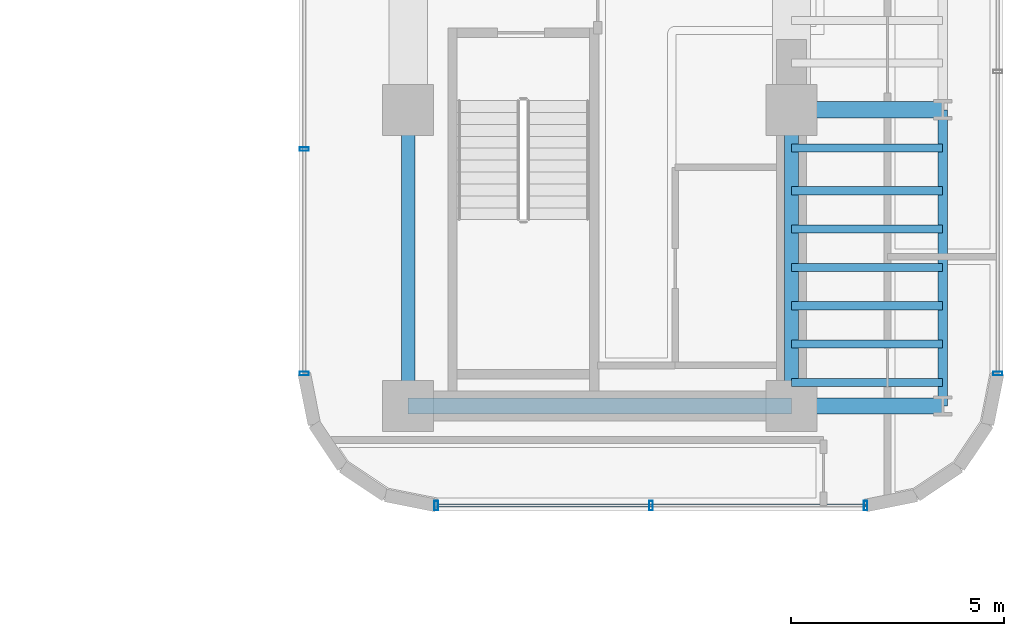
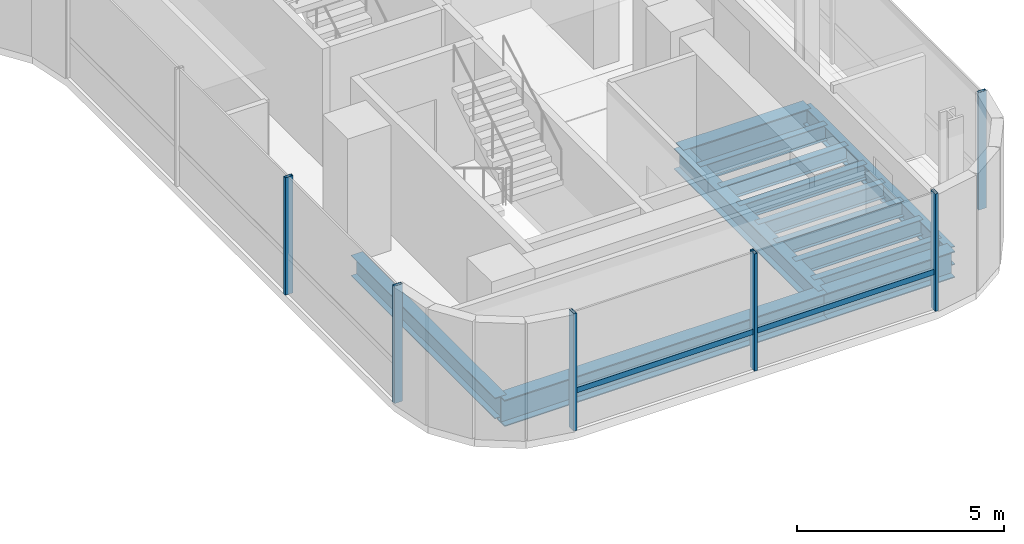
# One storey, part 12 of 35: 13 beams, 7 members, 3 elements without a shape of their own.
"""IFC4 building model written with IfcOpenShell, lengths in metres."""

from ifc_helpers import new_model, si_unit, direction, frame, origin, origin_2d, place, context, subcontext, project, spatial, hollow_rectangle, i_section, extrude, source, transform, mapped, material, material_profile, profile_set, type_object, element, aggregate, save


model = new_model("IFC4")

# Units and contexts
model_context = context("Model", 3, precision=1e-05, world=origin(), true_north=direction((0.0, 1.0)))
body_context = subcontext(model_context, "Body", "Model", "MODEL_VIEW")
ifc_project = project(units=[si_unit("LENGTHUNIT", "METRE"), si_unit("AREAUNIT", "SQUARE_METRE"), si_unit("VOLUMEUNIT", "CUBIC_METRE"), si_unit("PLANEANGLEUNIT", "RADIAN"), si_unit("MASSUNIT", "GRAM", prefix="KILO")], contexts=[model_context])

# Site, building, storey
site_placement = place(None, origin())
site = spatial("IfcSite", under=ifc_project, at=site_placement, CompositionType="ELEMENT")
building_placement = place(site_placement, origin())
building = spatial("IfcBuilding", under=site, at=building_placement, Name="Valdorenza Pilgrim Sanctuary Tower", CompositionType="ELEMENT")
storey_placement = place(building_placement, frame((0.0, 0.0, 150.10009765625)))
storey = spatial("IfcBuildingStorey", under=building, at=storey_placement, Name="L38", CompositionType="ELEMENT", Elevation=150.10009765625)

# Beams
ifc_material_1 = material(Name="Steel ASTM A992 Grade 50", Category="steel")
ifc_material_profile_1 = material_profile(ifc_material_1, i_section(OverallWidth=0.323974609375, OverallDepth=0.611083984375, WebThickness=0.0126953125, FlangeThickness=0.01904296875, at=origin_2d()), Name="W24X104")
ifc_profile_set_1 = profile_set([ifc_material_profile_1], Name="Steel ASTM A992 Grade 50")
beam_type_1 = type_object("IfcBeamType", Name="STR-BM-GRD-W24B", PredefinedType="BEAM", material=ifc_profile_set_1)
shared_shape_1 = source(origin(), body_context, "Body", "SweptSolid", [
    extrude(i_section(OverallWidth=0.323974609375, OverallDepth=0.611083984375, WebThickness=0.0126953125, FlangeThickness=0.01904296875, at=origin_2d()), origin(), (0.0, 0.0, 1.0), 6.949951171875),
])
for number, where, z_axis, x_axis, name in (
    (1, (15.85009765625, -9.550048828125, -0.545654296875), (0.0, 1.0, 0.0), (-1.0, 0.0, 0.0), "L38 Core Tie Girder CB-W-S1M0"),
    (2, (24.85009765625, -9.550048828125, -0.545654296875), (0.0, 1.0, 0.0), (-1.0, 0.0, 0.0), "L38 Core Tie Girder CB-E-S1M0"),
):
    element("IfcBeam", number, at=place(storey_placement, frame(where, z_axis=z_axis, x_axis=x_axis)), inside=storey, type_object=beam_type_1, Name=name, PredefinedType="BEAM", context=body_context, shape_type="MappedRepresentation", body=[
        mapped(shared_shape_1, transform((0.0, 0.0, 0.0), x_axis=(1.0, 0.0, 0.0), y_axis=(0.0, 1.0, 0.0), z_axis=(0.0, 0.0, 1.0), scale=1.0)),
    ])
ifc_material_profile_2 = material_profile(ifc_material_1, i_section(OverallWidth=0.214111328125, OverallDepth=0.549072265625, WebThickness=0.0146484375, FlangeThickness=0.023681640625, at=origin_2d()), Name="W21X93")
ifc_profile_set_2 = profile_set([ifc_material_profile_2], Name="Steel ASTM A992 Grade 50")
beam_type_2 = type_object("IfcBeamType", Name="STR-BM-SPN-W21A", PredefinedType="SPANDREL", material=ifc_profile_set_2)
shared_shape_2 = source(origin(), body_context, "Body", "SweptSolid", [
    extrude(i_section(OverallWidth=0.214111328125, OverallDepth=0.549072265625, WebThickness=0.0146484375, FlangeThickness=0.023681640625, at=origin_2d()), origin(), (0.0, 0.0, 1.0), 6.949951171875),
])
beam_1_placement = place(storey_placement, frame((28.39990234375, -9.550048828125, -0.5146484375), z_axis=(0.0, 1.0, 0.0), x_axis=(-1.0, 0.0, 0.0)))
element("IfcBeam", 3, at=beam_1_placement, inside=storey, type_object=beam_type_2, Name="L38 Spandrel Beam WB-E-S1M0", PredefinedType="SPANDREL", context=body_context, shape_type="MappedRepresentation", body=[
    mapped(shared_shape_2, transform((0.0, 0.0, 0.0), x_axis=(1.0, 0.0, 0.0), y_axis=(0.0, 1.0, 0.0), z_axis=(0.0, 0.0, 1.0), scale=1.0)),
])
ifc_material_profile_3 = material_profile(ifc_material_1, i_section(OverallWidth=0.382080078125, OverallDepth=0.779052734375, WebThickness=0.01806640625, FlangeThickness=0.030029296875, at=origin_2d()), Name="W30X191")
ifc_profile_set_3 = profile_set([ifc_material_profile_3], Name="Steel ASTM A992 Grade 50")
beam_type_3 = type_object("IfcBeamType", Name="STR-BM-GRD-W30", PredefinedType="BEAM", material=ifc_profile_set_3)
shared_shape_3 = source(origin(), body_context, "Body", "SweptSolid", [
    extrude(i_section(OverallWidth=0.382080078125, OverallDepth=0.779052734375, WebThickness=0.01806640625, FlangeThickness=0.030029296875, at=origin_2d()), origin(), (0.0, 0.0, 1.0), 9.0),
])
beam_2_placement = place(storey_placement, frame((15.85009765625, -9.550048828125, -0.629638671875), z_axis=(1.0, 0.0, 0.0), x_axis=(0.0, 1.0, 0.0)))
element("IfcBeam", 4, at=beam_2_placement, inside=storey, type_object=beam_type_3, Name="L38 Floor Girder CB-XC-S1", PredefinedType="BEAM", context=body_context, shape_type="MappedRepresentation", body=[
    mapped(shared_shape_3, transform((0.0, 0.0, 0.0), x_axis=(1.0, 0.0, 0.0), y_axis=(0.0, 1.0, 0.0), z_axis=(0.0, 0.0, 1.0), scale=1.0)),
])
shared_shape_4 = source(origin(), body_context, "Body", "SweptSolid", [
    extrude(i_section(OverallWidth=0.382080078125, OverallDepth=0.779052734375, WebThickness=0.01806640625, FlangeThickness=0.030029296875, at=origin_2d()), origin(), (0.0, 0.0, 1.0), 3.5498046875),
])
for number, where, z_axis, x_axis, name in (
    (5, (24.85009765625, -9.550048828125, -0.629638671875), (1.0, 0.0, 0.0), (0.0, 1.0, 0.0), "L38 Floor Girder WB-XE-S1"),
    (6, (24.85009765625, -2.60009765625, -0.629638671875), (1.0, 0.0, 0.0), (0.0, 1.0, 0.0), "L38 Floor Girder WB-XE-M0"),
):
    element("IfcBeam", number, at=place(storey_placement, frame(where, z_axis=z_axis, x_axis=x_axis)), inside=storey, type_object=beam_type_3, Name=name, PredefinedType="BEAM", context=body_context, shape_type="MappedRepresentation", body=[
        mapped(shared_shape_4, transform((0.0, 0.0, 0.0), x_axis=(1.0, 0.0, 0.0), y_axis=(0.0, 1.0, 0.0), z_axis=(0.0, 0.0, 1.0), scale=1.0)),
    ])
ifc_material_profile_4 = material_profile(ifc_material_1, i_section(OverallWidth=0.19091796875, OverallDepth=0.45703125, WebThickness=0.009033203125, FlangeThickness=0.014404296875, at=origin_2d()), Name="W18X50")
ifc_profile_set_4 = profile_set([ifc_material_profile_4], Name="Steel ASTM A992 Grade 50")
beam_type_4 = type_object("IfcBeamType", Name="STR-BM-JST-W18B", PredefinedType="JOIST", material=ifc_profile_set_4)
shared_shape_5 = source(origin(), body_context, "Body", "SweptSolid", [
    extrude(i_section(OverallWidth=0.19091796875, OverallDepth=0.45703125, WebThickness=0.009033203125, FlangeThickness=0.014404296875, at=origin_2d()), origin(), (0.0, 0.0, 1.0), 3.5498046875),
])
for number, where, z_axis, x_axis, name in (
    (7, (24.85009765625, -9.0, -0.468505859375), (1.0, 0.0, 0.0), (0.0, 1.0, 0.0), "L38 Composite Floor Joist JST-WB-1"),
    (8, (24.85009765625, -8.10009765625, -0.468505859375), (1.0, 0.0, 0.0), (0.0, 1.0, 0.0), "L38 Composite Floor Joist JST-WB-2"),
    (9, (24.85009765625, -7.199951171875, -0.468505859375), (1.0, 0.0, 0.0), (0.0, 1.0, 0.0), "L38 Composite Floor Joist JST-WB-3"),
    (10, (24.85009765625, -6.300048828125, -0.468505859375), (1.0, 0.0, 0.0), (0.0, 1.0, 0.0), "L38 Composite Floor Joist JST-WB-4"),
    (11, (24.85009765625, -5.39990234375, -0.468505859375), (1.0, 0.0, 0.0), (0.0, 1.0, 0.0), "L38 Composite Floor Joist JST-WB-5"),
    (12, (24.85009765625, -4.5, -0.468505859375), (1.0, 0.0, 0.0), (0.0, 1.0, 0.0), "L38 Composite Floor Joist JST-WB-6"),
    (13, (24.85009765625, -3.5, -0.468505859375), (1.0, 0.0, 0.0), (0.0, 1.0, 0.0), "L38 Composite Floor Joist JST-WB-7"),
):
    element("IfcBeam", number, at=place(storey_placement, frame(where, z_axis=z_axis, x_axis=x_axis)), inside=storey, type_object=beam_type_4, Name=name, PredefinedType="JOIST", context=body_context, shape_type="MappedRepresentation", body=[
        mapped(shared_shape_5, transform((0.0, 0.0, 0.0), x_axis=(1.0, 0.0, 0.0), y_axis=(0.0, 1.0, 0.0), z_axis=(0.0, 0.0, 1.0), scale=1.0)),
    ])

# Curtain wall, member
ifc_material_2 = material(Name="Curtain-wall IGU glazing", Category="glass")
curtain_wall_type = type_object("IfcCurtainWallType", Name="CW-SYS-03", PredefinedType="NOTDEFINED", material=ifc_material_2)
curtain_wall_1_placement = place(storey_placement, origin())
curtain_wall_1 = element("IfcCurtainWall", 14, at=curtain_wall_1_placement, inside=storey, type_object=curtain_wall_type, Name="L38 Curtain Wall CW-L38-1-21", PredefinedType="NOTDEFINED")
ifc_material_3 = material(Name="Anodised aluminium AW-6060", Category="aluminium")
ifc_material_profile_5 = material_profile(ifc_material_3, hollow_rectangle(XDim=0.0849609375, YDim=0.219970703125, WallThickness=0.0048828125, at=origin_2d()), Name="ALU-M 220x85x5")
ifc_profile_set_5 = profile_set([ifc_material_profile_5], Name="Anodised aluminium AW-6060")
member_type_1 = type_object("IfcMemberType", Name="CW-MUL-03", PredefinedType="MULLION", material=ifc_profile_set_5)
shared_shape_6 = source(origin(), body_context, "Body", "SweptSolid", [
    extrude(hollow_rectangle(XDim=0.0849609375, YDim=0.219970703125, WallThickness=0.0048828125, at=origin_2d()), origin(), (0.0, 0.0, 1.0), 3.4599609375),
])
member_1_placement = place(storey_placement, frame((29.68994140625, -8.789306640625, 0.0), z_axis=(0.0, 0.0, 1.0), x_axis=(0.0, -1.0, 0.0)))
member_1 = element("IfcMember", 15, at=member_1_placement, type_object=member_type_1, Name="CW-L38-1-21 Mullion 4", PredefinedType="MULLION", context=body_context, shape_type="MappedRepresentation", body=[
    mapped(shared_shape_6, transform((0.0, 0.0, 0.0), x_axis=(1.0, 0.0, 0.0), y_axis=(0.0, 1.0, 0.0), z_axis=(0.0, 0.0, 1.0), scale=1.0)),
])
aggregate(curtain_wall_1, [member_1])

# Curtain wall, members
curtain_wall_2_placement = place(storey_placement, origin())
curtain_wall_2 = element("IfcCurtainWall", 16, at=curtain_wall_2_placement, inside=storey, type_object=curtain_wall_type, Name="L38 Curtain Wall CW-L38-1-26", PredefinedType="NOTDEFINED")
member_2_placement = place(storey_placement, frame((26.589111328125, -11.889892578125, 0.0), z_axis=(0.0, 0.0, 1.0), x_axis=(-1.0, 0.0, 0.0)))
member_2 = element("IfcMember", 17, at=member_2_placement, type_object=member_type_1, Name="CW-L38-1-26 Mullion 1", PredefinedType="MULLION", context=body_context, shape_type="MappedRepresentation", body=[
    mapped(shared_shape_6, transform((0.0, 0.0, 0.0), x_axis=(1.0, 0.0, 0.0), y_axis=(0.0, 1.0, 0.0), z_axis=(0.0, 0.0, 1.0), scale=1.0)),
])
member_3_placement = place(storey_placement, frame((21.550048828125, -11.889892578125, 0.0), z_axis=(0.0, 0.0, 1.0), x_axis=(-1.0, 0.0, 0.0)))
member_3 = element("IfcMember", 18, at=member_3_placement, type_object=member_type_1, Name="CW-L38-1-26 Mullion 2", PredefinedType="MULLION", context=body_context, shape_type="MappedRepresentation", body=[
    mapped(shared_shape_6, transform((0.0, 0.0, 0.0), x_axis=(1.0, 0.0, 0.0), y_axis=(0.0, 1.0, 0.0), z_axis=(0.0, 0.0, 1.0), scale=1.0)),
])
member_4_placement = place(storey_placement, frame((16.5107421875, -11.889892578125, 0.0), z_axis=(0.0, 0.0, 1.0), x_axis=(-1.0, 0.0, 0.0)))
member_4 = element("IfcMember", 19, at=member_4_placement, type_object=member_type_1, Name="CW-L38-1-26 Mullion 3", PredefinedType="MULLION", context=body_context, shape_type="MappedRepresentation", body=[
    mapped(shared_shape_6, transform((0.0, 0.0, 0.0), x_axis=(1.0, 0.0, 0.0), y_axis=(0.0, 1.0, 0.0), z_axis=(0.0, 0.0, 1.0), scale=1.0)),
])

curtain_wall_3_placement = place(storey_placement, origin())
curtain_wall_3 = element("IfcCurtainWall", 20, at=curtain_wall_3_placement, inside=storey, type_object=curtain_wall_type, Name="L38 Curtain Wall CW-L38-1-31", PredefinedType="NOTDEFINED")
member_5_placement = place(storey_placement, frame((13.409912109375, -8.789306640625, 0.0), z_axis=(0.0, 0.0, 1.0), x_axis=(0.0, 1.0, 0.0)))
member_5 = element("IfcMember", 21, at=member_5_placement, type_object=member_type_1, Name="CW-L38-1-31 Mullion 1", PredefinedType="MULLION", context=body_context, shape_type="MappedRepresentation", body=[
    mapped(shared_shape_6, transform((0.0, 0.0, 0.0), x_axis=(1.0, 0.0, 0.0), y_axis=(0.0, 1.0, 0.0), z_axis=(0.0, 0.0, 1.0), scale=1.0)),
])
member_6_placement = place(storey_placement, frame((13.409912109375, -3.5224609375, 0.0), z_axis=(0.0, 0.0, 1.0), x_axis=(0.0, 1.0, 0.0)))
member_6 = element("IfcMember", 22, at=member_6_placement, type_object=member_type_1, Name="CW-L38-1-31 Mullion 2", PredefinedType="MULLION", context=body_context, shape_type="MappedRepresentation", body=[
    mapped(shared_shape_6, transform((0.0, 0.0, 0.0), x_axis=(1.0, 0.0, 0.0), y_axis=(0.0, 1.0, 0.0), z_axis=(0.0, 0.0, 1.0), scale=1.0)),
])
aggregate(curtain_wall_3, [member_5, member_6])

# Member
ifc_material_profile_6 = material_profile(ifc_material_3, hollow_rectangle(XDim=0.074951171875, YDim=0.159912109375, WallThickness=0.00390625, at=origin_2d()), Name="ALU-T 160x75x4")
ifc_profile_set_6 = profile_set([ifc_material_profile_6], Name="Anodised aluminium AW-6060")
member_type_2 = type_object("IfcMemberType", Name="CW-TRN-03", PredefinedType="USERDEFINED", material=ifc_profile_set_6)
shared_shape_7 = source(origin(), body_context, "Body", "SweptSolid", [
    extrude(hollow_rectangle(XDim=0.074951171875, YDim=0.159912109375, WallThickness=0.00390625, at=origin_2d()), origin(), (0.0, 0.0, 1.0), 10.078369140625),
])
member_7_placement = place(storey_placement, frame((26.589111328125, -11.889892578125, 1.119873046875), z_axis=(-1.0, 0.0, 0.0), x_axis=(0.0, -1.0, 0.0)))
member_7 = element("IfcMember", 23, at=member_7_placement, type_object=member_type_2, Name="CW-L38-1-26 Transom 1", ObjectType="TRANSOM", PredefinedType="USERDEFINED", context=body_context, shape_type="MappedRepresentation", body=[
    mapped(shared_shape_7, transform((0.0, 0.0, 0.0), x_axis=(1.0, 0.0, 0.0), y_axis=(0.0, 1.0, 0.0), z_axis=(0.0, 0.0, 1.0), scale=1.0)),
])

aggregate(curtain_wall_2, [member_2, member_3, member_4, member_7])

save(model, "model.ifc")
